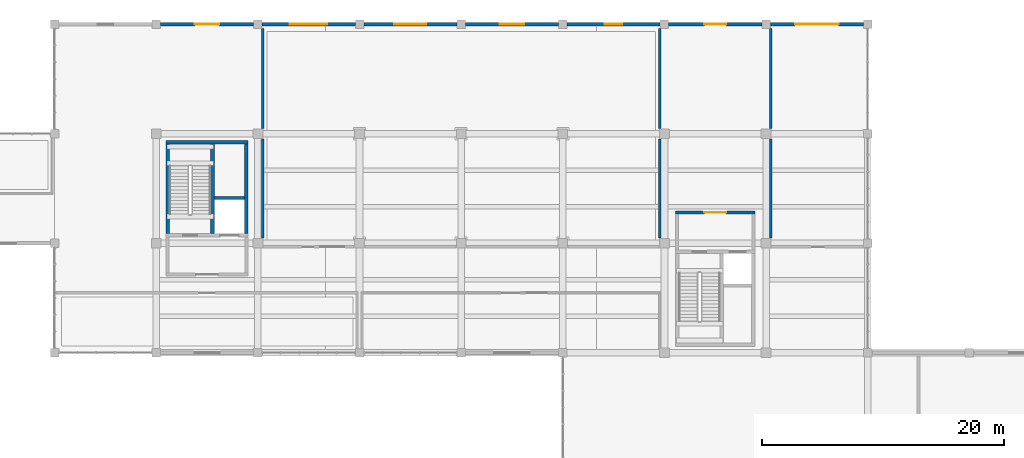
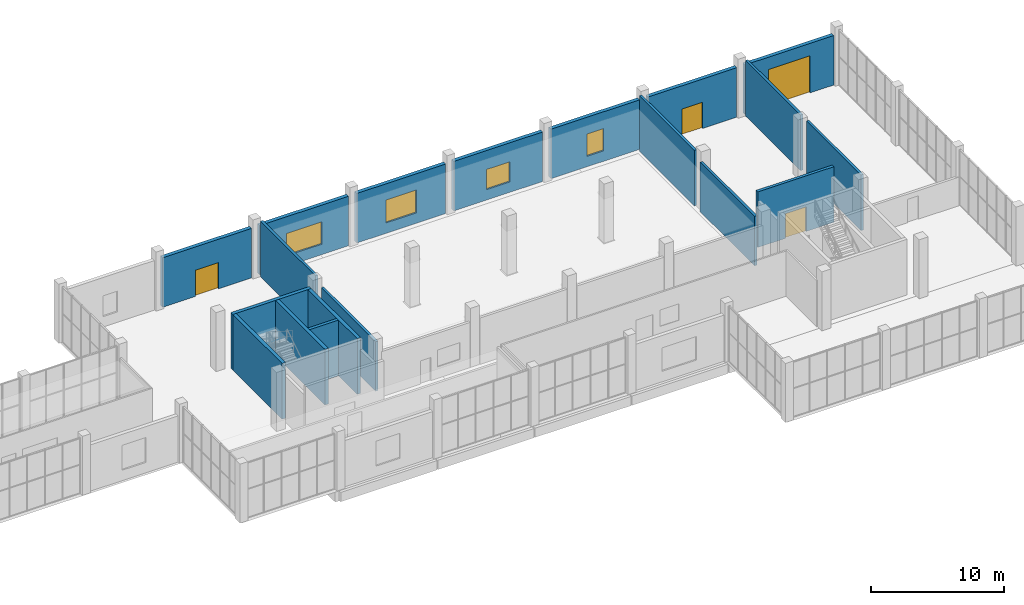
# One storey, part 82 of 91: 19 walls, 4 doors, 4 windows, 8 openings.
"""IFC4 building model written with IfcOpenShell, lengths in metres."""

import ifcopenshell
import ifcopenshell.guid

model = None  # the IFC model being written
_history = None  # IfcOwnerHistory: only IFC2X3 demands one
_inside = {}  # id of a spatial element -> (the spatial element, [elements in it])
_under = {}  # id of a project, library or spatial element -> (it, [spatial elements below it])
_declared = {}  # id of a project -> (the project, [libraries it declares])
_typed = {}  # id of a type object -> (the type object, [elements of that type])
_made_of = {}  # id of a material, layer set ... -> (it, [elements and type objects made of it])


def new_model(schema):
    """Start an empty IFC model of exactly this schema.

    Asked for "IFC4X3", IfcOpenShell would pick the latest addendum, in which some entities
    have other attributes; the version numbers below select the first issue.
    IFC2X3 requires an IfcOwnerHistory on every rooted entity: one is made here for all.
    """
    global model, _history
    if schema == "IFC4X3":
        model = ifcopenshell.file(schema_version=(4, 3, 0, 0))
    else:
        model = ifcopenshell.file(schema=schema)
    _inside.clear()
    _under.clear()
    _declared.clear()
    _typed.clear()
    _made_of.clear()
    _history = None
    if model.schema == "IFC2X3":
        org = make("IfcOrganization", Name="unknown")
        user = make(
            "IfcPersonAndOrganization",
            ThePerson=make("IfcPerson", FamilyName="unknown"),
            TheOrganization=org,
        )
        app = make(
            "IfcApplication",
            ApplicationDeveloper=org,
            Version="unknown",
            ApplicationFullName="unknown",
            ApplicationIdentifier="unknown",
        )
        _history = make(
            "IfcOwnerHistory",
            OwningUser=user,
            OwningApplication=app,
            ChangeAction="ADDED",
            CreationDate=0,
        )
    return model


def make(cls, **values):
    """One entity of the class cls with the attributes given. An attribute that is None is left unset."""
    return model.create_entity(
        cls, **{name: value for name, value in values.items() if value is not None}
    )


def rooted(cls, **values):
    """An entity with a GlobalId (a new one), such as an element, a storey or a relation."""
    return make(cls, GlobalId=ifcopenshell.guid.new(), OwnerHistory=_history, **values)


def si_unit(unit_type, name, prefix=None):
    """IfcSIUnit, for example si_unit("LENGTHUNIT", "METRE", prefix="MILLI")."""
    return make("IfcSIUnit", UnitType=unit_type, Prefix=prefix, Name=name)


def assignment(units):
    """IfcUnitAssignment: the units of a project."""
    return None if units is None else make("IfcUnitAssignment", Units=units)


def point(xyz):
    """IfcCartesianPoint."""
    return None if xyz is None else make("IfcCartesianPoint", Coordinates=xyz)


def direction(xyz):
    """IfcDirection."""
    return None if xyz is None else make("IfcDirection", DirectionRatios=xyz)


def frame(location, z_axis=None, x_axis=None):
    """IfcAxis2Placement3D, a coordinate frame: its origin and axes. An axis left out is left unset."""
    return make(
        "IfcAxis2Placement3D",
        Location=point(location),
        Axis=direction(z_axis),
        RefDirection=direction(x_axis),
    )


def frame_2d(location, x_axis=None):
    """IfcAxis2Placement2D, a coordinate frame in the plane: its origin and x axis."""
    return make(
        "IfcAxis2Placement2D", Location=point(location), RefDirection=direction(x_axis)
    )


def origin():
    """The frame at (0, 0, 0) with its axes left unset."""
    return frame((0.0, 0.0, 0.0))


def place(relative_to, where):
    """IfcLocalPlacement: puts the frame where relative to a parent placement (None: the world)."""
    return make(
        "IfcLocalPlacement", PlacementRelTo=relative_to, RelativePlacement=where
    )


def context(
    kind, dimensions, precision=None, world=None, true_north=None, identifier=None
):
    """IfcGeometricRepresentationContext, for example the 3D "Model" context."""
    return make(
        "IfcGeometricRepresentationContext",
        ContextIdentifier=identifier,
        ContextType=kind,
        CoordinateSpaceDimension=dimensions,
        Precision=precision,
        WorldCoordinateSystem=world,
        TrueNorth=true_north,
    )


def subcontext(parent, identifier, kind, view, scale=None):
    """IfcGeometricRepresentationSubContext, for example "Body" below "Model"."""
    return make(
        "IfcGeometricRepresentationSubContext",
        ContextIdentifier=identifier,
        ContextType=kind,
        ParentContext=parent,
        TargetScale=scale,
        TargetView=view,
    )


def project(units=None, contexts=None):
    """IfcProject with its units and contexts."""
    return rooted(
        "IfcProject",
        Name="project",
        RepresentationContexts=contexts,
        UnitsInContext=assignment(units),
    )


def spatial(cls, under=None, at=None, **own):
    """A site, building, storey or space (cls), placed at a placement, below another one or the project."""
    s = rooted(cls, ObjectPlacement=at, **own)
    if under is not None:
        _under.setdefault(under.id(), (under, []))[1].append(s)
    return s


def profile(cls, at=None, kind="AREA", **sizes):
    """A parametric profile (cls). Its sizes go by their IFC names, for example OverallWidth=200.0."""
    return make(cls, ProfileType=kind, Position=at, **sizes)


def rectangle(**sizes):
    """IfcRectangleProfileDef."""
    return profile("IfcRectangleProfileDef", **sizes)


def extrude(swept, where, along, depth):
    """IfcExtrudedAreaSolid: the profile swept, set in the frame where, extruded along a direction by depth."""
    return make(
        "IfcExtrudedAreaSolid",
        SweptArea=swept,
        Position=where,
        ExtrudedDirection=direction(along),
        Depth=depth,
    )


def shape(context_of_items, identifier, shape_type, items):
    """IfcShapeRepresentation: the items that make up one representation, for example the "Body"."""
    return make(
        "IfcShapeRepresentation",
        ContextOfItems=context_of_items,
        RepresentationIdentifier=identifier,
        RepresentationType=shape_type,
        Items=items,
    )


def material(Name=None, Category=None):
    """IfcMaterial."""
    return make("IfcMaterial", Name=Name, Category=Category)


def layer(
    of_material, thickness, ventilated=None, Name=None, Category=None, Priority=None
):
    """IfcMaterialLayer: one layer of a wall or slab, of a material (None: an air gap)."""
    return make(
        "IfcMaterialLayer",
        Material=of_material,
        LayerThickness=thickness,
        IsVentilated=ventilated,
        Name=Name,
        Category=Category,
        Priority=Priority,
    )


def layer_set(layers, Name=None):
    """IfcMaterialLayerSet."""
    return make("IfcMaterialLayerSet", MaterialLayers=layers, LayerSetName=Name)


def made_of(thing, what):
    """Note that an element or type object is made of a material, layer set ...; save() writes the relation."""
    if what is not None:
        _made_of.setdefault(what.id(), (what, []))[1].append(thing)
    return thing


def type_object(cls, material=None, **own):
    """A type object (cls), such as IfcWallType, which elements share."""
    return made_of(rooted(cls, **own), material)


def element(
    cls,
    number,
    at=None,
    inside=None,
    cuts=None,
    type_object=None,
    material=None,
    context=None,
    identifier="Body",
    shape_type=None,
    held_by="IfcProductDefinitionShape",
    body=None,
    shapes=None,
    **own,
):
    """One element of the class cls, such as IfcWall. Its Tag is "e" and its number.

    at: its placement. inside: the storey or other place that contains it. cuts: it is an
    opening in that element (IfcRelVoidsElement). A single representation is given by context,
    identifier, shape_type and body (its items); several are given by shapes. held_by: the class
    of the entity that holds the representations. save() writes the other relations.
    """
    e = rooted(cls, Tag="e%d" % number, ObjectPlacement=at, **own)
    if body is not None:
        shapes = [shape(context, identifier, shape_type, body)]
    if shapes is not None:
        e.Representation = make(held_by, Representations=shapes)
    if inside is not None:
        _inside.setdefault(inside.id(), (inside, []))[1].append(e)
    if cuts is not None:
        rooted(
            "IfcRelVoidsElement", RelatingBuildingElement=cuts, RelatedOpeningElement=e
        )
    if type_object is not None:
        _typed.setdefault(type_object.id(), (type_object, []))[1].append(e)
    return made_of(e, material)


def fill(opening, filler):
    """IfcRelFillsElement: the door or window that sits in an opening."""
    return rooted(
        "IfcRelFillsElement",
        RelatingOpeningElement=opening,
        RelatedBuildingElement=filler,
    )


def aggregate(whole, parts):
    """IfcRelAggregates: a whole, such as a stair, and the parts it consists of."""
    return rooted("IfcRelAggregates", RelatingObject=whole, RelatedObjects=parts)


def save(model, path):
    """Write the relations noted so far, then the file.

    IfcRelAggregates (storeys below a building ...), IfcRelContainedInSpatialStructure (elements
    in a storey), IfcRelDefinesByType, IfcRelAssociatesMaterial and IfcRelDeclares: one each for
    every whole, place, type object, material and project.
    """
    for whole, parts in _under.values():
        aggregate(whole, parts)
    for where, things in _inside.values():
        rooted(
            "IfcRelContainedInSpatialStructure",
            RelatedElements=things,
            RelatingStructure=where,
        )
    for kind, things in _typed.values():
        rooted("IfcRelDefinesByType", RelatedObjects=things, RelatingType=kind)
    for what, things in _made_of.values():
        rooted("IfcRelAssociatesMaterial", RelatedObjects=things, RelatingMaterial=what)
    for by, libraries in _declared.values():
        rooted("IfcRelDeclares", RelatingContext=by, RelatedDefinitions=libraries)
    model.write(path)


model = new_model("IFC4")

# Units and contexts
model_context = context("Model", 3, precision=1e-05, world=origin(), true_north=direction((0.0, 1.0)))
body_context = subcontext(model_context, "Body", "Model", "MODEL_VIEW")
ifc_project = project(units=[si_unit("LENGTHUNIT", "METRE"), si_unit("AREAUNIT", "SQUARE_METRE"), si_unit("VOLUMEUNIT", "CUBIC_METRE"), si_unit("PLANEANGLEUNIT", "RADIAN"), si_unit("MASSUNIT", "GRAM", prefix="KILO")], contexts=[model_context])

# Site, building, storey
site_placement = place(None, origin())
site = spatial("IfcSite", under=ifc_project, at=site_placement, CompositionType="ELEMENT")
building_placement = place(site_placement, origin())
building = spatial("IfcBuilding", under=site, at=building_placement, Name="Khurvash Pelagic Aquarium", CompositionType="ELEMENT")
storey_placement = place(building_placement, origin())
storey = spatial("IfcBuildingStorey", under=building, at=storey_placement, Name="L00", CompositionType="ELEMENT", Elevation=0.0)

# Wall, opening, door
ifc_material_1 = material(Name="Precast concrete C40/50", Category="concrete")
ifc_layer_1 = layer(ifc_material_1, 0.320068359375)
ifc_layer_set_1 = layer_set([ifc_layer_1], Name="Precast concrete C40/50")
wall_type_1 = type_object("IfcWallType", Name="EW-320", PredefinedType="STANDARD", material=ifc_layer_set_1)
wall_1_placement = place(storey_placement, frame((125.64501953125, 111.199951171875, 0.0), z_axis=(0.0, 0.0, 1.0), x_axis=(-1.0, 0.0, 0.0)))
wall_1 = element("IfcWall", 1, at=wall_1_placement, inside=storey, type_object=wall_type_1, Name="L00 Exterior Architectural Facade Wall EW-320 0016", PredefinedType="STANDARD", context=body_context, shape_type="SweptSolid", body=[
    extrude(rectangle(XDim=7.68994140625, YDim=0.320068359375, at=frame_2d((3.844970703125, 0.0))), origin(), (0.0, 0.0, 1.0), 4.531005859375),
])
opening_1_placement = place(wall_1_placement, frame((2.044921875, 0.0, 0.0)))
opening_1 = element("IfcOpeningElement", 2, at=opening_1_placement, cuts=wall_1, Name="Opening VG-02", PredefinedType="OPENING", context=body_context, shape_type="SweptSolid", body=[
    extrude(rectangle(XDim=3.60009765625, YDim=3.39990234375, at=frame_2d((1.800048828125, 1.699951171875))), frame((0.0, 0.169921875, 0.0), z_axis=(0.0, -1.0, 0.0), x_axis=(1.0, 0.0, 0.0)), (0.0, 0.0, 1.0), 0.340087890625),
])
ifc_material_2 = material(Name="Insulated galvanised steel dock shutter", Category="steel")
door_type_1 = type_object("IfcDoorType", Name="VG-02", OperationType="ROLLINGUP", PredefinedType="GATE", material=ifc_material_2)
door_1_placement = place(opening_1_placement, frame((3.60009765625, 0.0, 0.0), z_axis=(0.0, 0.0, 1.0), x_axis=(-1.0, 0.0, 0.0)))
door_1 = element("IfcDoor", 3, at=door_1_placement, inside=storey, type_object=door_type_1, Name="DR-0054", OperationType="ROLLINGUP", OverallHeight=3.39990234375, OverallWidth=3.60009765625, PredefinedType="GATE", context=body_context, shape_type="SweptSolid", body=[
    extrude(rectangle(XDim=3.60009765625, YDim=3.39990234375, at=frame_2d((1.800048828125, 1.699951171875))), frame((0.0, 0.02490234375, 0.0), z_axis=(0.0, -1.0, 0.0), x_axis=(1.0, 0.0, 0.0)), (0.0, 0.0, 1.0), 0.050048828125),
])
fill(opening_1, door_1)

wall_2_placement = place(storey_placement, frame((117.2451171875, 111.199951171875, 0.0), z_axis=(0.0, 0.0, 1.0), x_axis=(-1.0, 0.0, 0.0)))
wall_2 = element("IfcWall", 4, at=wall_2_placement, inside=storey, type_object=wall_type_1, Name="L00 Exterior Architectural Facade Wall EW-320 0017", PredefinedType="STANDARD", context=body_context, shape_type="SweptSolid", body=[
    extrude(rectangle(XDim=7.690185546875, YDim=0.320068359375, at=frame_2d((3.84521484375, 0.0))), origin(), (0.0, 0.0, 1.0), 4.531005859375),
])
opening_2_placement = place(wall_2_placement, frame((2.945068359375, 0.0, 0.0)))
opening_2 = element("IfcOpeningElement", 5, at=opening_2_placement, cuts=wall_2, Name="Opening ED-01", PredefinedType="OPENING", context=body_context, shape_type="SweptSolid", body=[
    extrude(rectangle(XDim=1.800048828125, YDim=2.39990234375, at=frame_2d((0.89990234375, 1.199951171875))), frame((0.0, 0.169921875, 0.0), z_axis=(0.0, -1.0, 0.0), x_axis=(1.0, 0.0, 0.0)), (0.0, 0.0, 1.0), 0.340087890625),
])
ifc_material_3 = material(Name="Thermally broken glazed aluminium", Category="aluminium")
door_type_2 = type_object("IfcDoorType", Name="ED-01", OperationType="DOUBLE_DOOR_SINGLE_SWING", PredefinedType="DOOR", material=ifc_material_3)
door_2_placement = place(opening_2_placement, frame((1.800048828125, 0.0, 0.0), z_axis=(0.0, 0.0, 1.0), x_axis=(-1.0, 0.0, 0.0)))
door_2 = element("IfcDoor", 6, at=door_2_placement, inside=storey, type_object=door_type_2, Name="DR-0055", OperationType="DOUBLE_DOOR_SINGLE_SWING", OverallHeight=2.39990234375, OverallWidth=1.800048828125, PredefinedType="DOOR", context=body_context, shape_type="SweptSolid", body=[
    extrude(rectangle(XDim=1.800048828125, YDim=2.39990234375, at=frame_2d((0.89990234375, 1.199951171875))), frame((0.0, 0.02490234375, 0.0), z_axis=(0.0, -1.0, 0.0), x_axis=(1.0, 0.0, 0.0)), (0.0, 0.0, 1.0), 0.050048828125),
])
fill(opening_2, door_2)

# Wall, opening, window
wall_3_placement = place(storey_placement, frame((108.844970703125, 111.199951171875, 0.0), z_axis=(0.0, 0.0, 1.0), x_axis=(-1.0, 0.0, 0.0)))
wall_3 = element("IfcWall", 7, at=wall_3_placement, inside=storey, type_object=wall_type_1, Name="L00 Exterior Architectural Facade Wall EW-320 0018", PredefinedType="STANDARD", context=body_context, shape_type="SweptSolid", body=[
    extrude(rectangle(XDim=7.68994140625, YDim=0.320068359375, at=frame_2d((3.844970703125, 0.0))), origin(), (0.0, 0.0, 1.0), 4.531005859375),
])
opening_3_placement = place(wall_3_placement, frame((3.1201171875, 0.0, 0.949951171875)))
opening_3 = element("IfcOpeningElement", 8, at=opening_3_placement, cuts=wall_3, Name="Opening WN-21", PredefinedType="OPENING", context=body_context, shape_type="SweptSolid", body=[
    extrude(rectangle(XDim=1.449951171875, YDim=2.050048828125, at=frame_2d((0.72509765625, 1.02490234375))), frame((0.0, 0.169921875, 0.0), z_axis=(0.0, -1.0, 0.0), x_axis=(1.0, 0.0, 0.0)), (0.0, 0.0, 1.0), 0.340087890625),
])
ifc_material_4 = material(Name="Thermally broken aluminium and low-E glass", Category="aluminium")
window_type_1 = type_object("IfcWindowType", Name="WN-21", PartitioningType="SINGLE_PANEL", PredefinedType="WINDOW", material=ifc_material_4)
window_1_placement = place(opening_3_placement, origin())
window_1 = element("IfcWindow", 9, at=window_1_placement, inside=storey, type_object=window_type_1, Name="L00 Facade Window WN-21 0004", OverallHeight=2.050048828125, OverallWidth=1.449951171875, PartitioningType="SINGLE_PANEL", PredefinedType="WINDOW", context=body_context, shape_type="SweptSolid", body=[
    extrude(rectangle(XDim=1.449951171875, YDim=2.050048828125, at=frame_2d((0.72509765625, 1.02490234375))), frame((0.0, 0.030029296875, 0.0), z_axis=(0.0, -1.0, 0.0), x_axis=(1.0, 0.0, 0.0)), (0.0, 0.0, 1.0), 0.06005859375),
])
fill(opening_3, window_1)

wall_4_placement = place(storey_placement, frame((100.445068359375, 111.199951171875, 0.0), z_axis=(0.0, 0.0, 1.0), x_axis=(-1.0, 0.0, 0.0)))
wall_4 = element("IfcWall", 10, at=wall_4_placement, inside=storey, type_object=wall_type_1, Name="L00 Exterior Architectural Facade Wall EW-320 0019", PredefinedType="STANDARD", context=body_context, shape_type="SweptSolid", body=[
    extrude(rectangle(XDim=7.690185546875, YDim=0.320068359375, at=frame_2d((3.84521484375, 0.0))), origin(), (0.0, 0.0, 1.0), 4.531005859375),
])
opening_4_placement = place(wall_4_placement, frame((2.820068359375, 0.0, 0.949951171875)))
opening_4 = element("IfcOpeningElement", 11, at=opening_4_placement, cuts=wall_4, Name="Opening WN-23", PredefinedType="OPENING", context=body_context, shape_type="SweptSolid", body=[
    extrude(rectangle(XDim=2.050048828125, YDim=1.85009765625, at=frame_2d((1.02490234375, 0.925048828125))), frame((0.0, 0.169921875, 0.0), z_axis=(0.0, -1.0, 0.0), x_axis=(1.0, 0.0, 0.0)), (0.0, 0.0, 1.0), 0.340087890625),
])
window_type_2 = type_object("IfcWindowType", Name="WN-23", PartitioningType="SINGLE_PANEL", PredefinedType="WINDOW", material=ifc_material_4)
window_2_placement = place(opening_4_placement, origin())
window_2 = element("IfcWindow", 12, at=window_2_placement, inside=storey, type_object=window_type_2, Name="L00 Facade Window WN-23 0005", OverallHeight=1.85009765625, OverallWidth=2.050048828125, PartitioningType="SINGLE_PANEL", PredefinedType="WINDOW", context=body_context, shape_type="SweptSolid", body=[
    extrude(rectangle(XDim=2.050048828125, YDim=1.85009765625, at=frame_2d((1.02490234375, 0.925048828125))), frame((0.0, 0.030029296875, 0.0), z_axis=(0.0, -1.0, 0.0), x_axis=(1.0, 0.0, 0.0)), (0.0, 0.0, 1.0), 0.06005859375),
])
fill(opening_4, window_2)

wall_5_placement = place(storey_placement, frame((92.044921875, 111.199951171875, 0.0), z_axis=(0.0, 0.0, 1.0), x_axis=(-1.0, 0.0, 0.0)))
wall_5 = element("IfcWall", 13, at=wall_5_placement, inside=storey, type_object=wall_type_1, Name="L00 Exterior Architectural Facade Wall EW-320 0020", PredefinedType="STANDARD", context=body_context, shape_type="SweptSolid", body=[
    extrude(rectangle(XDim=7.68994140625, YDim=0.320068359375, at=frame_2d((3.844970703125, 0.0))), origin(), (0.0, 0.0, 1.0), 4.531005859375),
])
opening_5_placement = place(wall_5_placement, frame((2.52001953125, 0.0, 0.949951171875)))
opening_5 = element("IfcOpeningElement", 14, at=opening_5_placement, cuts=wall_5, Name="Opening WN-25", PredefinedType="OPENING", context=body_context, shape_type="SweptSolid", body=[
    extrude(rectangle(XDim=2.64990234375, YDim=2.10009765625, at=frame_2d((1.324951171875, 1.050048828125))), frame((0.0, 0.169921875, 0.0), z_axis=(0.0, -1.0, 0.0), x_axis=(1.0, 0.0, 0.0)), (0.0, 0.0, 1.0), 0.340087890625),
])
window_type_3 = type_object("IfcWindowType", Name="WN-25", PartitioningType="SINGLE_PANEL", PredefinedType="WINDOW", material=ifc_material_4)
window_3_placement = place(opening_5_placement, origin())
window_3 = element("IfcWindow", 15, at=window_3_placement, inside=storey, type_object=window_type_3, Name="L00 Facade Window WN-25 0006", OverallHeight=2.10009765625, OverallWidth=2.64990234375, PartitioningType="SINGLE_PANEL", PredefinedType="WINDOW", context=body_context, shape_type="SweptSolid", body=[
    extrude(rectangle(XDim=2.64990234375, YDim=2.10009765625, at=frame_2d((1.324951171875, 1.050048828125))), frame((0.0, 0.030029296875, 0.0), z_axis=(0.0, -1.0, 0.0), x_axis=(1.0, 0.0, 0.0)), (0.0, 0.0, 1.0), 0.06005859375),
])
fill(opening_5, window_3)

wall_6_placement = place(storey_placement, frame((83.64501953125, 111.199951171875, 0.0), z_axis=(0.0, 0.0, 1.0), x_axis=(-1.0, 0.0, 0.0)))
wall_6 = element("IfcWall", 16, at=wall_6_placement, inside=storey, type_object=wall_type_1, Name="L00 Exterior Architectural Facade Wall EW-320 0021", PredefinedType="STANDARD", context=body_context, shape_type="SweptSolid", body=[
    extrude(rectangle(XDim=7.68994140625, YDim=0.320068359375, at=frame_2d((3.844970703125, 0.0))), origin(), (0.0, 0.0, 1.0), 4.531005859375),
])
opening_6_placement = place(wall_6_placement, frame((2.294921875, 0.0, 0.949951171875)))
opening_6 = element("IfcOpeningElement", 17, at=opening_6_placement, cuts=wall_6, Name="Opening WN-27", PredefinedType="OPENING", context=body_context, shape_type="SweptSolid", body=[
    extrude(rectangle(XDim=3.10009765625, YDim=2.050048828125, at=frame_2d((1.550048828125, 1.02490234375))), frame((0.0, 0.169921875, 0.0), z_axis=(0.0, -1.0, 0.0), x_axis=(1.0, 0.0, 0.0)), (0.0, 0.0, 1.0), 0.340087890625),
])
window_type_4 = type_object("IfcWindowType", Name="WN-27", PartitioningType="SINGLE_PANEL", PredefinedType="WINDOW", material=ifc_material_4)
window_4_placement = place(opening_6_placement, origin())
window_4 = element("IfcWindow", 18, at=window_4_placement, inside=storey, type_object=window_type_4, Name="L00 Facade Window WN-27 0007", OverallHeight=2.050048828125, OverallWidth=3.10009765625, PartitioningType="SINGLE_PANEL", PredefinedType="WINDOW", context=body_context, shape_type="SweptSolid", body=[
    extrude(rectangle(XDim=3.10009765625, YDim=2.050048828125, at=frame_2d((1.550048828125, 1.02490234375))), frame((0.0, 0.030029296875, 0.0), z_axis=(0.0, -1.0, 0.0), x_axis=(1.0, 0.0, 0.0)), (0.0, 0.0, 1.0), 0.06005859375),
])
fill(opening_6, window_4)

# Wall, opening, door
wall_7_placement = place(storey_placement, frame((75.2451171875, 111.199951171875, 0.0), z_axis=(0.0, 0.0, 1.0), x_axis=(-1.0, 0.0, 0.0)))
wall_7 = element("IfcWall", 19, at=wall_7_placement, inside=storey, type_object=wall_type_1, Name="L00 Exterior Architectural Facade Wall EW-320 0022", PredefinedType="STANDARD", context=body_context, shape_type="SweptSolid", body=[
    extrude(rectangle(XDim=7.690185546875, YDim=0.320068359375, at=frame_2d((3.84521484375, 0.0))), origin(), (0.0, 0.0, 1.0), 4.531005859375),
])
opening_7_placement = place(wall_7_placement, frame((2.844970703125, 0.0, 0.0)))
opening_7 = element("IfcOpeningElement", 20, at=opening_7_placement, cuts=wall_7, Name="Opening ED-02", PredefinedType="OPENING", context=body_context, shape_type="SweptSolid", body=[
    extrude(rectangle(XDim=2.0, YDim=2.39990234375, at=frame_2d((1.0, 1.199951171875))), frame((0.0, 0.169921875, 0.0), z_axis=(0.0, -1.0, 0.0), x_axis=(1.0, 0.0, 0.0)), (0.0, 0.0, 1.0), 0.340087890625),
])
door_type_3 = type_object("IfcDoorType", Name="ED-02", OperationType="DOUBLE_DOOR_SINGLE_SWING", PredefinedType="DOOR", material=ifc_material_3)
door_3_placement = place(opening_7_placement, frame((2.0, 0.0, 0.0), z_axis=(0.0, 0.0, 1.0), x_axis=(-1.0, 0.0, 0.0)))
door_3 = element("IfcDoor", 21, at=door_3_placement, inside=storey, type_object=door_type_3, Name="DR-0056", OperationType="DOUBLE_DOOR_SINGLE_SWING", OverallHeight=2.39990234375, OverallWidth=2.0, PredefinedType="DOOR", context=body_context, shape_type="SweptSolid", body=[
    extrude(rectangle(XDim=2.0, YDim=2.39990234375, at=frame_2d((1.0, 1.199951171875))), frame((0.0, 0.02490234375, 0.0), z_axis=(0.0, -1.0, 0.0), x_axis=(1.0, 0.0, 0.0)), (0.0, 0.0, 1.0), 0.050048828125),
])
fill(opening_7, door_3)

# Walls
ifc_material_5 = material(Name="AAC blockwork", Category="masonry")
ifc_layer_2 = layer(ifc_material_5, 0.215087890625)
ifc_layer_set_2 = layer_set([ifc_layer_2], Name="AAC blockwork")
wall_type_2 = type_object("IfcWallType", Name="PW-215", PredefinedType="PARTITIONING", material=ifc_layer_set_2)
wall_8_placement = place(storey_placement, frame((108.800048828125, 93.5400390625, 0.0), z_axis=(0.0, 0.0, 1.0), x_axis=(0.0, 1.0, 0.0)))
element("IfcWall", 22, at=wall_8_placement, inside=storey, type_object=wall_type_2, Name="L00 Elasmobranch Acclimation Tank Hall Partition Wall PW-215", PredefinedType="PARTITIONING", context=body_context, shape_type="SweptSolid", body=[
    extrude(rectangle(XDim=8.169921875, YDim=0.215087890625, at=frame_2d((4.0849609375, 0.0))), origin(), (0.0, 0.0, 1.0), 4.5400390625),
])
wall_9_placement = place(storey_placement, frame((108.800048828125, 102.590087890625, 0.0), z_axis=(0.0, 0.0, 1.0), x_axis=(0.0, 1.0, 0.0)))
element("IfcWall", 23, at=wall_9_placement, inside=storey, type_object=wall_type_2, Name="L00 Elasmobranch Acclimation Tank Hall Partition Wall PW-215", PredefinedType="PARTITIONING", context=body_context, shape_type="SweptSolid", body=[
    extrude(rectangle(XDim=8.2529296875, YDim=0.215087890625, at=frame_2d((4.12646484375, 0.0))), origin(), (0.0, 0.0, 1.0), 5.090087890625),
])
wall_10_placement = place(storey_placement, frame((76.0, 93.5400390625, 0.0), z_axis=(0.0, 0.0, 1.0), x_axis=(0.0, 1.0, 0.0)))
element("IfcWall", 24, at=wall_10_placement, inside=storey, type_object=wall_type_2, Name="L00 Elasmobranch Acclimation Tank Hall Partition Wall PW-215", PredefinedType="PARTITIONING", context=body_context, shape_type="SweptSolid", body=[
    extrude(rectangle(XDim=8.169921875, YDim=0.215087890625, at=frame_2d((4.0849609375, 0.0))), origin(), (0.0, 0.0, 1.0), 4.5400390625),
])
wall_11_placement = place(storey_placement, frame((76.0, 102.590087890625, 0.0), z_axis=(0.0, 0.0, 1.0), x_axis=(0.0, 1.0, 0.0)))
element("IfcWall", 25, at=wall_11_placement, inside=storey, type_object=wall_type_2, Name="L00 Elasmobranch Acclimation Tank Hall Partition Wall PW-215", PredefinedType="PARTITIONING", context=body_context, shape_type="SweptSolid", body=[
    extrude(rectangle(XDim=8.2529296875, YDim=0.215087890625, at=frame_2d((4.12646484375, 0.0))), origin(), (0.0, 0.0, 1.0), 5.090087890625),
])
wall_12_placement = place(storey_placement, frame((118.0, 93.5400390625, 0.0), z_axis=(0.0, 0.0, 1.0), x_axis=(0.0, 1.0, 0.0)))
element("IfcWall", 26, at=wall_12_placement, inside=storey, type_object=wall_type_2, Name="L00 Specimen Quarantine Loading Dock Partition Wall PW-215", PredefinedType="PARTITIONING", context=body_context, shape_type="SweptSolid", body=[
    extrude(rectangle(XDim=8.169921875, YDim=0.215087890625, at=frame_2d((4.0849609375, 0.0))), origin(), (0.0, 0.0, 1.0), 5.090087890625),
])
wall_13_placement = place(storey_placement, frame((118.0, 102.590087890625, 0.0), z_axis=(0.0, 0.0, 1.0), x_axis=(0.0, 1.0, 0.0)))
element("IfcWall", 27, at=wall_13_placement, inside=storey, type_object=wall_type_2, Name="L00 Specimen Quarantine Loading Dock Partition Wall PW-215", PredefinedType="PARTITIONING", context=body_context, shape_type="SweptSolid", body=[
    extrude(rectangle(XDim=8.2529296875, YDim=0.215087890625, at=frame_2d((4.12646484375, 0.0))), origin(), (0.0, 0.0, 1.0), 5.090087890625),
])

# Wall, opening, door
ifc_layer_3 = layer(ifc_material_5, 0.25)
ifc_layer_set_3 = layer_set([ifc_layer_3], Name="AAC blockwork")
wall_type_3 = type_object("IfcWallType", Name="PW-250", PredefinedType="PARTITIONING", material=ifc_layer_set_3)
wall_14_placement = place(storey_placement, frame((110.10009765625, 95.625, 0.0), z_axis=(0.0, 0.0, 1.0), x_axis=(1.0, 0.0, 0.0)))
wall_14 = element("IfcWall", 28, at=wall_14_placement, inside=storey, type_object=wall_type_3, Name="L00 Core C6 Lobby Front Fire Wall PW-250", PredefinedType="PARTITIONING", context=body_context, shape_type="SweptSolid", body=[
    extrude(rectangle(XDim=6.599853515625, YDim=0.25, at=frame_2d((3.2998046875, 0.0))), origin(), (0.0, 0.0, 1.0), 5.090087890625),
])
opening_8_placement = place(wall_14_placement, frame((2.39990234375, 0.0, 0.0)))
opening_8 = element("IfcOpeningElement", 29, at=opening_8_placement, cuts=wall_14, Name="Opening FD-02", PredefinedType="OPENING", context=body_context, shape_type="SweptSolid", body=[
    extrude(rectangle(XDim=1.800048828125, YDim=2.25, at=frame_2d((0.89990234375, 1.125))), frame((0.0, 0.135009765625, 0.0), z_axis=(0.0, -1.0, 0.0), x_axis=(1.0, 0.0, 0.0)), (0.0, 0.0, 1.0), 0.27001953125),
])
ifc_material_6 = material(Name="Galvanised steel double fire door", Category="steel")
door_type_4 = type_object("IfcDoorType", Name="FD-02", OperationType="DOUBLE_DOOR_SINGLE_SWING", PredefinedType="DOOR", material=ifc_material_6)
door_4_placement = place(opening_8_placement, origin())
door_4 = element("IfcDoor", 30, at=door_4_placement, inside=storey, type_object=door_type_4, Name="DR-0089", OperationType="DOUBLE_DOOR_SINGLE_SWING", OverallHeight=2.25, OverallWidth=1.800048828125, PredefinedType="DOOR", context=body_context, shape_type="SweptSolid", body=[
    extrude(rectangle(XDim=1.800048828125, YDim=2.25, at=frame_2d((0.89990234375, 1.125))), frame((0.0, 0.02490234375, 0.0), z_axis=(0.0, -1.0, 0.0), x_axis=(1.0, 0.0, 0.0)), (0.0, 0.0, 1.0), 0.050048828125),
])
fill(opening_8, door_4)

# Walls
ifc_material_7 = material(Name="Concrete C40/50", Category="concrete")
ifc_layer_4 = layer(ifc_material_7, 0.27490234375)
ifc_layer_set_4 = layer_set([ifc_layer_4], Name="Concrete C40/50")
wall_type_4 = type_object("IfcWallType", Name="SW-275", PredefinedType="SHEAR", material=ifc_layer_set_4)
wall_15_placement = place(storey_placement, frame((72.0, 96.837890625, 0.0), z_axis=(0.0, 0.0, 1.0), x_axis=(1.0, 0.0, 0.0)))
element("IfcWall", 31, at=wall_15_placement, inside=storey, type_object=wall_type_4, Name="L00 Lift GL-01 Shaft Rear Shear Wall SW-275", PredefinedType="SHEAR", context=body_context, shape_type="SweptSolid", body=[
    extrude(rectangle(XDim=2.5, YDim=0.27490234375, at=frame_2d((1.25, 0.0))), origin(), (0.0, 0.0, 1.0), 5.090087890625),
])
ifc_layer_5 = layer(ifc_material_7, 0.300048828125)
ifc_layer_set_5 = layer_set([ifc_layer_5], Name="Concrete C40/50")
wall_type_5 = type_object("IfcWallType", Name="SW-300", PredefinedType="SHEAR", material=ifc_layer_set_5)
wall_16_placement = place(storey_placement, frame((68.0, 101.449951171875, 0.0), z_axis=(0.0, 0.0, 1.0), x_axis=(1.0, 0.0, 0.0)))
element("IfcWall", 32, at=wall_16_placement, inside=storey, type_object=wall_type_5, Name="L00 Core C4 North Shear Wall SW-300", PredefinedType="SHEAR", context=body_context, shape_type="SweptSolid", body=[
    extrude(rectangle(XDim=6.800048828125, YDim=0.300048828125, at=frame_2d((3.39990234375, 0.0))), origin(), (0.0, 0.0, 1.0), 5.090087890625),
])
for number, where, z_axis, x_axis, name in (
    (33, (68.14990234375, 93.89990234375, 0.0), (0.0, 0.0, 1.0), (0.0, 1.0, 0.0), "L00 Core C4 West Shear Wall SW-300"),
    (34, (74.64990234375, 93.89990234375, 0.0), (0.0, 0.0, 1.0), (0.0, 1.0, 0.0), "L00 Core C4 East Shear Wall SW-300"),
    (35, (71.85009765625, 93.89990234375, 0.0), (0.0, 0.0, 1.0), (0.0, 1.0, 0.0), "L00 Core C4 Divider Shear Wall SW-300"),
):
    element("IfcWall", number, at=place(storey_placement, frame(where, z_axis=z_axis, x_axis=x_axis)), inside=storey, type_object=wall_type_5, Name=name, PredefinedType="SHEAR", context=body_context, shape_type="SweptSolid", body=[
        extrude(rectangle(XDim=7.400146484375, YDim=0.300048828125, at=frame_2d((3.7001953125, 0.0))), origin(), (0.0, 0.0, 1.0), 5.090087890625),
    ])

save(model, "model.ifc")
